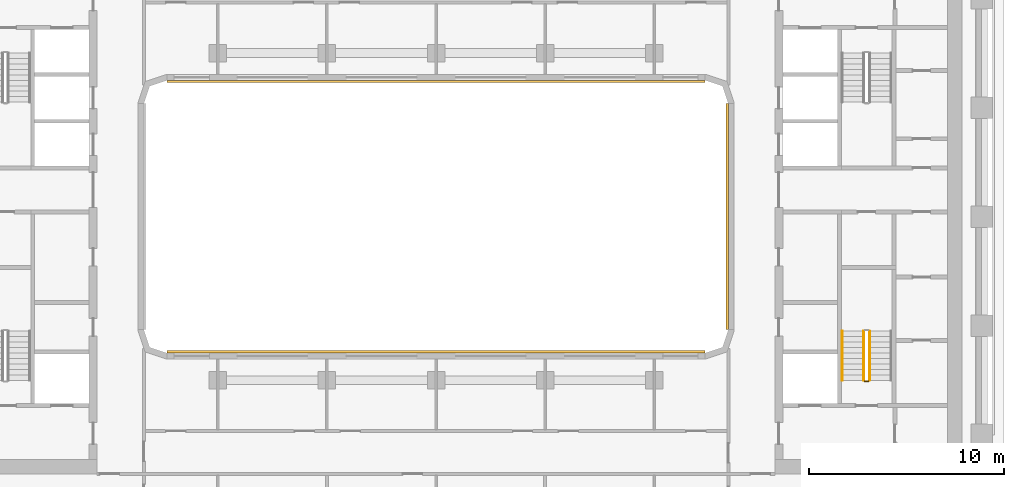
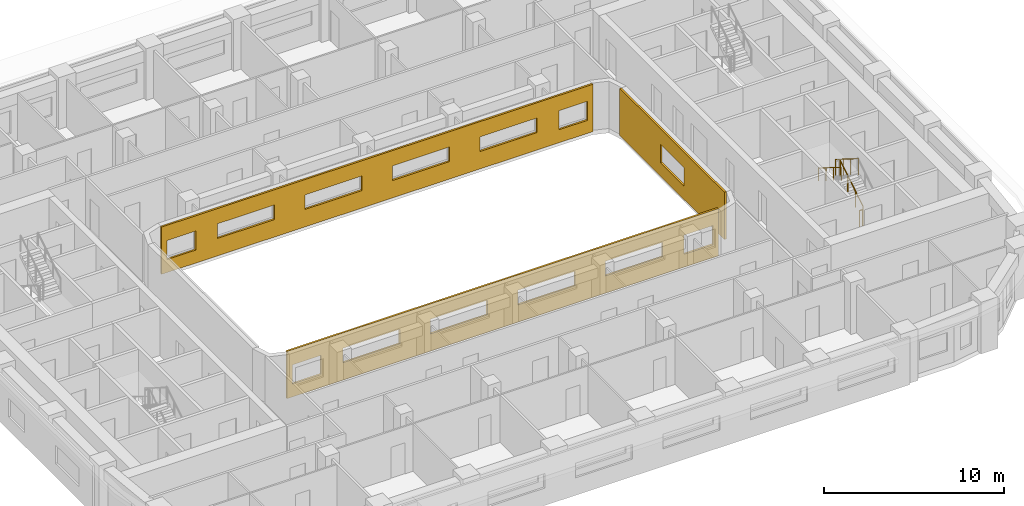
# One storey, part 16 of 22: 4 railings, 3 coverings.
"""IFC4 building model written with IfcOpenShell, lengths in metres."""

import ifcopenshell
import ifcopenshell.guid

model = None  # the IFC model being written
_history = None  # IfcOwnerHistory: only IFC2X3 demands one
_inside = {}  # id of a spatial element -> (the spatial element, [elements in it])
_under = {}  # id of a project, library or spatial element -> (it, [spatial elements below it])
_declared = {}  # id of a project -> (the project, [libraries it declares])
_typed = {}  # id of a type object -> (the type object, [elements of that type])
_made_of = {}  # id of a material, layer set ... -> (it, [elements and type objects made of it])


def new_model(schema):
    """Start an empty IFC model of exactly this schema.

    Asked for "IFC4X3", IfcOpenShell would pick the latest addendum, in which some entities
    have other attributes; the version numbers below select the first issue.
    IFC2X3 requires an IfcOwnerHistory on every rooted entity: one is made here for all.
    """
    global model, _history
    if schema == "IFC4X3":
        model = ifcopenshell.file(schema_version=(4, 3, 0, 0))
    else:
        model = ifcopenshell.file(schema=schema)
    _inside.clear()
    _under.clear()
    _declared.clear()
    _typed.clear()
    _made_of.clear()
    _history = None
    if model.schema == "IFC2X3":
        org = make("IfcOrganization", Name="unknown")
        user = make(
            "IfcPersonAndOrganization",
            ThePerson=make("IfcPerson", FamilyName="unknown"),
            TheOrganization=org,
        )
        app = make(
            "IfcApplication",
            ApplicationDeveloper=org,
            Version="unknown",
            ApplicationFullName="unknown",
            ApplicationIdentifier="unknown",
        )
        _history = make(
            "IfcOwnerHistory",
            OwningUser=user,
            OwningApplication=app,
            ChangeAction="ADDED",
            CreationDate=0,
        )
    return model


def make(cls, **values):
    """One entity of the class cls with the attributes given. An attribute that is None is left unset."""
    return model.create_entity(
        cls, **{name: value for name, value in values.items() if value is not None}
    )


def rooted(cls, **values):
    """An entity with a GlobalId (a new one), such as an element, a storey or a relation."""
    return make(cls, GlobalId=ifcopenshell.guid.new(), OwnerHistory=_history, **values)


def si_unit(unit_type, name, prefix=None):
    """IfcSIUnit, for example si_unit("LENGTHUNIT", "METRE", prefix="MILLI")."""
    return make("IfcSIUnit", UnitType=unit_type, Prefix=prefix, Name=name)


def assignment(units):
    """IfcUnitAssignment: the units of a project."""
    return None if units is None else make("IfcUnitAssignment", Units=units)


def point(xyz):
    """IfcCartesianPoint."""
    return None if xyz is None else make("IfcCartesianPoint", Coordinates=xyz)


def direction(xyz):
    """IfcDirection."""
    return None if xyz is None else make("IfcDirection", DirectionRatios=xyz)


def frame(location, z_axis=None, x_axis=None):
    """IfcAxis2Placement3D, a coordinate frame: its origin and axes. An axis left out is left unset."""
    return make(
        "IfcAxis2Placement3D",
        Location=point(location),
        Axis=direction(z_axis),
        RefDirection=direction(x_axis),
    )


def frame_2d(location, x_axis=None):
    """IfcAxis2Placement2D, a coordinate frame in the plane: its origin and x axis."""
    return make(
        "IfcAxis2Placement2D", Location=point(location), RefDirection=direction(x_axis)
    )


def origin():
    """The frame at (0, 0, 0) with its axes left unset."""
    return frame((0.0, 0.0, 0.0))


def origin_2d():
    """The frame at (0, 0) in the plane with its x axis left unset."""
    return frame_2d((0.0, 0.0))


def place(relative_to, where):
    """IfcLocalPlacement: puts the frame where relative to a parent placement (None: the world)."""
    return make(
        "IfcLocalPlacement", PlacementRelTo=relative_to, RelativePlacement=where
    )


def context(
    kind, dimensions, precision=None, world=None, true_north=None, identifier=None
):
    """IfcGeometricRepresentationContext, for example the 3D "Model" context."""
    return make(
        "IfcGeometricRepresentationContext",
        ContextIdentifier=identifier,
        ContextType=kind,
        CoordinateSpaceDimension=dimensions,
        Precision=precision,
        WorldCoordinateSystem=world,
        TrueNorth=true_north,
    )


def subcontext(parent, identifier, kind, view, scale=None):
    """IfcGeometricRepresentationSubContext, for example "Body" below "Model"."""
    return make(
        "IfcGeometricRepresentationSubContext",
        ContextIdentifier=identifier,
        ContextType=kind,
        ParentContext=parent,
        TargetScale=scale,
        TargetView=view,
    )


def project(units=None, contexts=None):
    """IfcProject with its units and contexts."""
    return rooted(
        "IfcProject",
        Name="project",
        RepresentationContexts=contexts,
        UnitsInContext=assignment(units),
    )


def spatial(cls, under=None, at=None, **own):
    """A site, building, storey or space (cls), placed at a placement, below another one or the project."""
    s = rooted(cls, ObjectPlacement=at, **own)
    if under is not None:
        _under.setdefault(under.id(), (under, []))[1].append(s)
    return s


def polyline(points):
    """IfcPolyline through the points."""
    return make("IfcPolyline", Points=[point(p) for p in points])


def profile(cls, at=None, kind="AREA", **sizes):
    """A parametric profile (cls). Its sizes go by their IFC names, for example OverallWidth=200.0."""
    return make(cls, ProfileType=kind, Position=at, **sizes)


def circle(**sizes):
    """IfcCircleProfileDef."""
    return profile("IfcCircleProfileDef", **sizes)


def outline(outer, holes=None, kind="AREA"):
    """IfcArbitraryClosedProfileDef: a profile drawn as a closed curve; with holes, ...WithVoids."""
    if holes is None:
        return make("IfcArbitraryClosedProfileDef", ProfileType=kind, OuterCurve=outer)
    return make(
        "IfcArbitraryProfileDefWithVoids",
        ProfileType=kind,
        OuterCurve=outer,
        InnerCurves=holes,
    )


def extrude(swept, where, along, depth):
    """IfcExtrudedAreaSolid: the profile swept, set in the frame where, extruded along a direction by depth."""
    return make(
        "IfcExtrudedAreaSolid",
        SweptArea=swept,
        Position=where,
        ExtrudedDirection=direction(along),
        Depth=depth,
    )


def shape(context_of_items, identifier, shape_type, items):
    """IfcShapeRepresentation: the items that make up one representation, for example the "Body"."""
    return make(
        "IfcShapeRepresentation",
        ContextOfItems=context_of_items,
        RepresentationIdentifier=identifier,
        RepresentationType=shape_type,
        Items=items,
    )


def material(Name=None, Category=None):
    """IfcMaterial."""
    return make("IfcMaterial", Name=Name, Category=Category)


def layer(
    of_material, thickness, ventilated=None, Name=None, Category=None, Priority=None
):
    """IfcMaterialLayer: one layer of a wall or slab, of a material (None: an air gap)."""
    return make(
        "IfcMaterialLayer",
        Material=of_material,
        LayerThickness=thickness,
        IsVentilated=ventilated,
        Name=Name,
        Category=Category,
        Priority=Priority,
    )


def layer_set(layers, Name=None):
    """IfcMaterialLayerSet."""
    return make("IfcMaterialLayerSet", MaterialLayers=layers, LayerSetName=Name)


def made_of(thing, what):
    """Note that an element or type object is made of a material, layer set ...; save() writes the relation."""
    if what is not None:
        _made_of.setdefault(what.id(), (what, []))[1].append(thing)
    return thing


def type_object(cls, material=None, **own):
    """A type object (cls), such as IfcWallType, which elements share."""
    return made_of(rooted(cls, **own), material)


def element(
    cls,
    number,
    at=None,
    inside=None,
    cuts=None,
    type_object=None,
    material=None,
    context=None,
    identifier="Body",
    shape_type=None,
    held_by="IfcProductDefinitionShape",
    body=None,
    shapes=None,
    **own,
):
    """One element of the class cls, such as IfcWall. Its Tag is "e" and its number.

    at: its placement. inside: the storey or other place that contains it. cuts: it is an
    opening in that element (IfcRelVoidsElement). A single representation is given by context,
    identifier, shape_type and body (its items); several are given by shapes. held_by: the class
    of the entity that holds the representations. save() writes the other relations.
    """
    e = rooted(cls, Tag="e%d" % number, ObjectPlacement=at, **own)
    if body is not None:
        shapes = [shape(context, identifier, shape_type, body)]
    if shapes is not None:
        e.Representation = make(held_by, Representations=shapes)
    if inside is not None:
        _inside.setdefault(inside.id(), (inside, []))[1].append(e)
    if cuts is not None:
        rooted(
            "IfcRelVoidsElement", RelatingBuildingElement=cuts, RelatedOpeningElement=e
        )
    if type_object is not None:
        _typed.setdefault(type_object.id(), (type_object, []))[1].append(e)
    return made_of(e, material)


def aggregate(whole, parts):
    """IfcRelAggregates: a whole, such as a stair, and the parts it consists of."""
    return rooted("IfcRelAggregates", RelatingObject=whole, RelatedObjects=parts)


def save(model, path):
    """Write the relations noted so far, then the file.

    IfcRelAggregates (storeys below a building ...), IfcRelContainedInSpatialStructure (elements
    in a storey), IfcRelDefinesByType, IfcRelAssociatesMaterial and IfcRelDeclares: one each for
    every whole, place, type object, material and project.
    """
    for whole, parts in _under.values():
        aggregate(whole, parts)
    for where, things in _inside.values():
        rooted(
            "IfcRelContainedInSpatialStructure",
            RelatedElements=things,
            RelatingStructure=where,
        )
    for kind, things in _typed.values():
        rooted("IfcRelDefinesByType", RelatedObjects=things, RelatingType=kind)
    for what, things in _made_of.values():
        rooted("IfcRelAssociatesMaterial", RelatedObjects=things, RelatingMaterial=what)
    for by, libraries in _declared.values():
        rooted("IfcRelDeclares", RelatingContext=by, RelatedDefinitions=libraries)
    model.write(path)


model = new_model("IFC4")

# Units and contexts
model_context = context("Model", 3, precision=1e-05, world=origin(), true_north=direction((0.0, 1.0)))
body_context = subcontext(model_context, "Body", "Model", "MODEL_VIEW")
ifc_project = project(units=[si_unit("LENGTHUNIT", "METRE"), si_unit("AREAUNIT", "SQUARE_METRE"), si_unit("VOLUMEUNIT", "CUBIC_METRE"), si_unit("PLANEANGLEUNIT", "RADIAN"), si_unit("MASSUNIT", "GRAM", prefix="KILO")], contexts=[model_context])

# Site, building, storey
site_placement = place(None, origin())
site = spatial("IfcSite", under=ifc_project, at=site_placement, CompositionType="ELEMENT")
building_placement = place(site_placement, origin())
building = spatial("IfcBuilding", under=site, at=building_placement, Name="Kiln Ring Residences", CompositionType="ELEMENT")
storey_placement = place(building_placement, frame((0.0, 0.0, 153.60009765625)))
storey = spatial("IfcBuildingStorey", under=building, at=storey_placement, Name="L39", CompositionType="ELEMENT", Elevation=153.60009765625)

# Railings
ifc_material_1 = material(Name="Stainless steel", Category="steel")
railing_type_1 = type_object("IfcRailingType", Name="CORE-STAIR-GUARD", PredefinedType="GUARDRAIL", material=ifc_material_1)
railing_1_placement = place(storey_placement, frame((22.25, -8.39990234375, 0.1748046875)))
element("IfcRailing", 1, at=railing_1_placement, inside=storey, type_object=railing_type_1, Name="L39 E-STS stair guard 1", PredefinedType="GUARDRAIL", context=body_context, shape_type="SweptSolid", body=[
    extrude(circle(Radius=0.02392578125, at=origin_2d()), frame((0.0, 0.0, 1.076171875), z_axis=(0.0, 0.847970611238, 0.530043245855), x_axis=(-1.0, 0.0, 0.0)), (0.0, 0.0, 1.0), 2.971923828125),
    extrude(circle(Radius=0.02099609375, at=origin_2d()), origin(), (0.0, 0.0, 1.0), 1.052001953125),
    extrude(circle(Radius=0.02099609375, at=origin_2d()), frame((0.0, 0.840087890625, 0.525146484375)), (0.0, 0.0, 1.0), 1.052001953125),
    extrude(circle(Radius=0.02099609375, at=origin_2d()), frame((0.0, 1.679931640625, 1.050048828125)), (0.0, 0.0, 1.0), 1.052001953125),
    extrude(circle(Radius=0.02099609375, at=origin_2d()), frame((0.0, 2.52001953125, 1.5751953125)), (0.0, 0.0, 1.0), 1.052001953125),
])
railing_2_placement = place(storey_placement, frame((21.949951171875, -5.8798828125, 1.9248046875)))
element("IfcRailing", 2, at=railing_2_placement, inside=storey, type_object=railing_type_1, Name="L39 E-STS stair guard 3", PredefinedType="GUARDRAIL", context=body_context, shape_type="SweptSolid", body=[
    extrude(circle(Radius=0.02392578125, at=origin_2d()), frame((0.0, 0.0, 1.076171875), z_axis=(0.0, -0.847970611238, 0.530043245855), x_axis=(1.0, 0.0, 0.0)), (0.0, 0.0, 1.0), 2.971923828125),
    extrude(circle(Radius=0.02099609375, at=origin_2d()), origin(), (0.0, 0.0, 1.0), 1.052001953125),
    extrude(circle(Radius=0.02099609375, at=origin_2d()), frame((0.0, -0.840087890625, 0.525146484375)), (0.0, 0.0, 1.0), 1.052001953125),
    extrude(circle(Radius=0.02099609375, at=origin_2d()), frame((0.0, -1.679931640625, 1.050048828125)), (0.0, 0.0, 1.0), 1.052001953125),
    extrude(circle(Radius=0.02099609375, at=origin_2d()), frame((0.0, -2.52001953125, 1.5751953125)), (0.0, 0.0, 1.0), 1.052001953125),
])
railing_3_placement = place(storey_placement, frame((22.199951171875, -8.449951171875, 0.0)))
element("IfcRailing", 3, at=railing_3_placement, inside=storey, type_object=railing_type_1, Name="L39 E-STS stair guard 4", PredefinedType="GUARDRAIL", context=body_context, shape_type="SweptSolid", body=[
    extrude(circle(Radius=0.02392578125, at=origin_2d()), frame((0.0, 0.0, 1.076171875), z_axis=(-1.0, 0.0, 0.0), x_axis=(0.0, -1.0, 0.0)), (0.0, 0.0, 1.0), 0.199951171875),
    extrude(circle(Radius=0.02099609375, at=origin_2d()), origin(), (0.0, 0.0, 1.0), 1.052001953125),
    extrude(circle(Radius=0.02099609375, at=origin_2d()), frame((-0.199951171875, 0.0, 0.0)), (0.0, 0.0, 1.0), 1.052001953125),
])
ifc_material_2 = material(Name="Stainless steel", Category="steel")
railing_type_2 = type_object("IfcRailingType", Name="CORE-STAIR-HANDRAIL", PredefinedType="HANDRAIL", material=ifc_material_2)
railing_4_placement = place(storey_placement, frame((20.85009765625, -5.8798828125, 1.9248046875)))
element("IfcRailing", 4, at=railing_4_placement, inside=storey, type_object=railing_type_2, Name="L39 E-STS stair handrail 2", PredefinedType="HANDRAIL", context=body_context, shape_type="SweptSolid", body=[
    extrude(circle(Radius=0.02392578125, at=origin_2d()), frame((0.0, 0.0, 0.8759765625), z_axis=(0.0, -0.847970611238, 0.530043245855), x_axis=(1.0, 0.0, 0.0)), (0.0, 0.0, 1.0), 2.971923828125),
    extrude(circle(Radius=0.02099609375, at=origin_2d()), origin(), (0.0, 0.0, 1.0), 0.851806640625),
    extrude(circle(Radius=0.02099609375, at=origin_2d()), frame((0.0, -0.840087890625, 0.525146484375)), (0.0, 0.0, 1.0), 0.851806640625),
    extrude(circle(Radius=0.02099609375, at=origin_2d()), frame((0.0, -1.679931640625, 1.050048828125)), (0.0, 0.0, 1.0), 0.851806640625),
    extrude(circle(Radius=0.02099609375, at=origin_2d()), frame((0.0, -2.52001953125, 1.5751953125)), (0.0, 0.0, 1.0), 0.851806640625),
])

# Coverings
ifc_material_3 = material(Name="Brick masonry, dark clay brick", Category="masonry")
ifc_layer = layer(ifc_material_3, 0.1201171875)
ifc_layer_set = layer_set([ifc_layer], Name="RAINSCREEN PANEL 120")
covering_type = type_object("IfcCoveringType", Name="RAINSCREEN PANEL 120", PredefinedType="CLADDING", material=ifc_layer_set)
covering_1_placement = place(storey_placement, frame((-13.800048828125, 6.93994140625, 0.0), z_axis=(0.0, 0.0, 1.0), x_axis=(1.0, 0.0, 0.0)))
element("IfcCovering", 5, at=covering_1_placement, inside=storey, type_object=covering_type, Name="RAINSCREEN L39", PredefinedType="CLADDING", context=body_context, shape_type="SweptSolid", body=[
    extrude(outline(polyline([(0.0, 0.0), (27.60009765625, 0.0), (27.60009765625, 3.199951171875), (0.0, 3.199951171875), (0.0, 0.0)]), holes=[polyline([(2.1826171875, 0.8798828125), (2.1826171875, 2.169921875), (0.342529296875, 2.169921875), (0.342529296875, 0.8798828125), (2.1826171875, 0.8798828125)]), polyline([(25.41748046875, 0.8798828125), (27.257568359375, 0.8798828125), (27.257568359375, 2.169921875), (25.41748046875, 2.169921875), (25.41748046875, 0.8798828125)]), polyline([(3.580078125, 1.179931640625), (7.219970703125, 1.179931640625), (7.219970703125, 2.169921875), (3.580078125, 2.169921875), (3.580078125, 1.179931640625)]), polyline([(12.820068359375, 1.179931640625), (12.820068359375, 2.169921875), (9.179931640625, 2.169921875), (9.179931640625, 1.179931640625), (12.820068359375, 1.179931640625)]), polyline([(14.780029296875, 1.179931640625), (18.419921875, 1.179931640625), (18.419921875, 2.169921875), (14.780029296875, 2.169921875), (14.780029296875, 1.179931640625)]), polyline([(20.3798828125, 1.179931640625), (24.02001953125, 1.179931640625), (24.02001953125, 2.169921875), (20.3798828125, 2.169921875), (20.3798828125, 1.179931640625)])]), frame((0.0, 0.06005859375, 0.0), z_axis=(0.0, -1.0, 0.0), x_axis=(1.0, 0.0, 0.0)), (0.0, 0.0, 1.0), 0.1201171875),
])
covering_2_placement = place(storey_placement, frame((14.93994140625, 5.800048828125, 0.0), z_axis=(0.0, 0.0, 1.0), x_axis=(0.0, -1.0, 0.0)))
element("IfcCovering", 6, at=covering_2_placement, inside=storey, type_object=covering_type, Name="RAINSCREEN L39", PredefinedType="CLADDING", context=body_context, shape_type="SweptSolid", body=[
    extrude(outline(polyline([(0.0, 0.0), (11.60009765625, 0.0), (11.60009765625, 3.199951171875), (0.0, 3.199951171875), (0.0, 0.0)]), holes=[polyline([(4.5, 2.14990234375), (4.5, 0.89990234375), (7.10009765625, 0.89990234375), (7.10009765625, 2.14990234375), (4.5, 2.14990234375)])]), frame((0.0, 0.06005859375, 0.0), z_axis=(0.0, -1.0, 0.0), x_axis=(1.0, 0.0, 0.0)), (0.0, 0.0, 1.0), 0.1201171875),
])
covering_3_placement = place(storey_placement, frame((13.800048828125, -6.93994140625, 0.0), z_axis=(0.0, 0.0, 1.0), x_axis=(-1.0, 0.0, 0.0)))
element("IfcCovering", 7, at=covering_3_placement, inside=storey, type_object=covering_type, Name="RAINSCREEN L39", PredefinedType="CLADDING", context=body_context, shape_type="SweptSolid", body=[
    extrude(outline(polyline([(0.0, 0.0), (27.60009765625, 0.0), (27.60009765625, 3.199951171875), (0.0, 3.199951171875), (0.0, 0.0)]), holes=[polyline([(2.1826171875, 0.8798828125), (2.1826171875, 2.169921875), (0.342529296875, 2.169921875), (0.342529296875, 0.8798828125), (2.1826171875, 0.8798828125)]), polyline([(25.41748046875, 0.8798828125), (27.257568359375, 0.8798828125), (27.257568359375, 2.169921875), (25.41748046875, 2.169921875), (25.41748046875, 0.8798828125)]), polyline([(3.580078125, 1.179931640625), (7.219970703125, 1.179931640625), (7.219970703125, 2.169921875), (3.580078125, 2.169921875), (3.580078125, 1.179931640625)]), polyline([(12.820068359375, 1.179931640625), (12.820068359375, 2.169921875), (9.179931640625, 2.169921875), (9.179931640625, 1.179931640625), (12.820068359375, 1.179931640625)]), polyline([(14.780029296875, 1.179931640625), (18.419921875, 1.179931640625), (18.419921875, 2.169921875), (14.780029296875, 2.169921875), (14.780029296875, 1.179931640625)]), polyline([(20.3798828125, 1.179931640625), (24.02001953125, 1.179931640625), (24.02001953125, 2.169921875), (20.3798828125, 2.169921875), (20.3798828125, 1.179931640625)])]), frame((0.0, 0.06005859375, 0.0), z_axis=(0.0, -1.0, 0.0), x_axis=(1.0, 0.0, 0.0)), (0.0, 0.0, 1.0), 0.1201171875),
])

save(model, "model.ifc")
